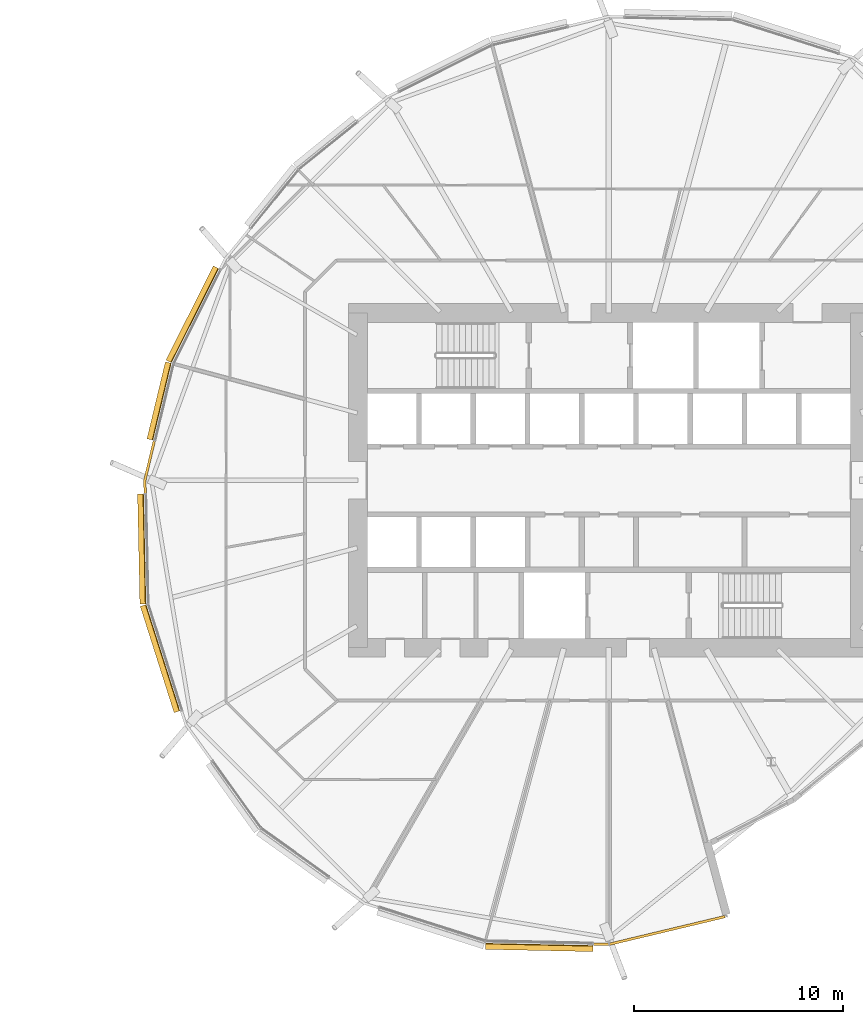
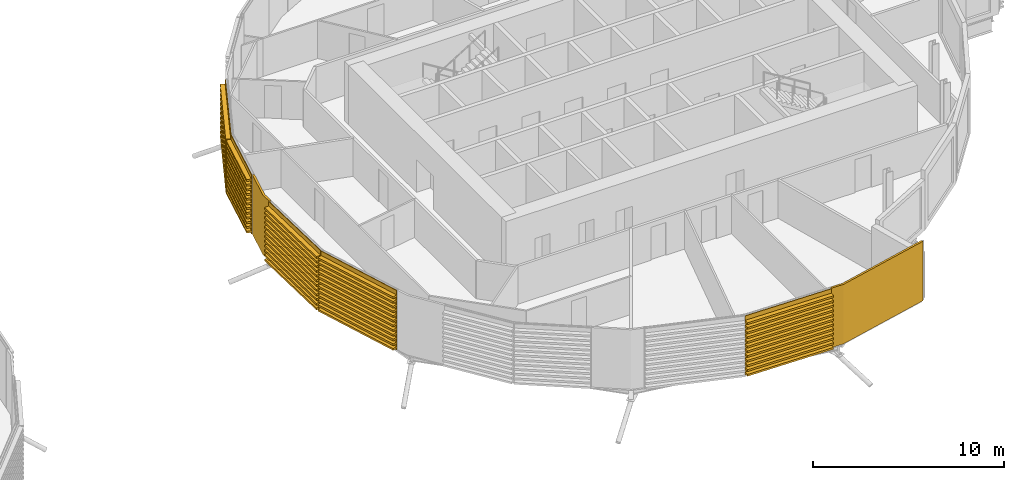
# One storey, part 36 of 38: 7 coverings.
"""IFC4 building model written with IfcOpenShell, lengths in metres."""

from ifc_helpers import new_model, si_unit, direction, frame, origin, place, context, subcontext, project, spatial, polyline, outline, extrude, material, layer, layer_set, material_profile, profile_set, type_object, element, save


model = new_model("IFC4")

# Units and contexts
model_context = context("Model", 3, precision=1e-05, world=origin(), true_north=direction((0.0, 1.0)))
body_context = subcontext(model_context, "Body", "Model", "MODEL_VIEW")
ifc_project = project(units=[si_unit("LENGTHUNIT", "METRE"), si_unit("AREAUNIT", "SQUARE_METRE"), si_unit("VOLUMEUNIT", "CUBIC_METRE"), si_unit("PLANEANGLEUNIT", "RADIAN"), si_unit("MASSUNIT", "GRAM", prefix="KILO")], contexts=[model_context])

# Site, building, storey
site_placement = place(None, origin())
site = spatial("IfcSite", under=ifc_project, at=site_placement, CompositionType="ELEMENT")
building_placement = place(site_placement, origin())
building = spatial("IfcBuilding", under=site, at=building_placement, Name="Rimbun Link Towers", CompositionType="ELEMENT")
storey_placement = place(building_placement, frame((0.0, 0.0, 68.0)))
storey = spatial("IfcBuildingStorey", under=building, at=storey_placement, Name="L16", CompositionType="ELEMENT", Elevation=68.0)

# Coverings
ifc_material_1 = material(Name="Terracotta", Category="masonry")
ifc_layer = layer(ifc_material_1, 0.1201171875)
ifc_layer_set = layer_set([ifc_layer], Name="LINK PIER terracotta cladding 120")
covering_type_1 = type_object("IfcCoveringType", Name="LINK PIER terracotta cladding 120", PredefinedType="CLADDING", material=ifc_layer_set)
covering_1_placement = place(storey_placement, origin())
element("IfcCovering", 1, at=covering_1_placement, inside=storey, type_object=covering_type_1, Name="LINK PIER cladding", PredefinedType="CLADDING", context=body_context, shape_type="SweptSolid", body=[
    extrude(outline(polyline([(9.634033203125, -0.619873046875), (9.62109375, 0.0), (10.067626953125, 1.867431640625), (9.950927734375, 1.895263671875), (9.500732421875, 0.012939453125), (9.51416015625, -0.622314453125), (9.634033203125, -0.619873046875)])), origin(), (0.0, 0.0, 1.0), 3.800048828125),
])
covering_2_placement = place(storey_placement, origin())
element("IfcCovering", 2, at=covering_2_placement, inside=storey, type_object=covering_type_1, Name="LINK PIER cladding", PredefinedType="CLADDING", context=body_context, shape_type="SweptSolid", body=[
    extrude(outline(polyline([(37.293212890625, -20.80322265625), (31.75, -22.12890625), (31.0302734375, -22.11376953125), (31.027587890625, -22.23388671875), (31.762939453125, -22.249267578125), (37.321044921875, -20.919921875), (37.293212890625, -20.80322265625)])), origin(), (0.0, 0.0, 1.0), 3.800048828125),
])
ifc_material_2 = material(Name="Terracotta", Category="masonry")
ifc_material_profile = material_profile(ifc_material_2, outline(polyline([(0.123046875, 0.0), (0.1630859375, 0.0), (0.1630859375, 0.10009765625), (0.423095703125, 0.10009765625), (0.423095703125, 0.219970703125), (0.1630859375, 0.219970703125), (0.1630859375, 0.39990234375), (0.423095703125, 0.39990234375), (0.423095703125, 0.52001953125), (0.1630859375, 0.52001953125), (0.1630859375, 0.699951171875), (0.423095703125, 0.699951171875), (0.423095703125, 0.820068359375), (0.1630859375, 0.820068359375), (0.1630859375, 1.0), (0.423095703125, 1.0), (0.423095703125, 1.1201171875), (0.1630859375, 1.1201171875), (0.1630859375, 1.300048828125), (0.423095703125, 1.300048828125), (0.423095703125, 1.419921875), (0.1630859375, 1.419921875), (0.1630859375, 1.60009765625), (0.423095703125, 1.60009765625), (0.423095703125, 1.719970703125), (0.1630859375, 1.719970703125), (0.1630859375, 1.89990234375), (0.423095703125, 1.89990234375), (0.423095703125, 2.02001953125), (0.1630859375, 2.02001953125), (0.1630859375, 2.199951171875), (0.423095703125, 2.199951171875), (0.423095703125, 2.320068359375), (0.1630859375, 2.320068359375), (0.1630859375, 2.5), (0.423095703125, 2.5), (0.423095703125, 2.6201171875), (0.1630859375, 2.6201171875), (0.1630859375, 2.800048828125), (0.423095703125, 2.800048828125), (0.423095703125, 2.919921875), (0.1630859375, 2.919921875), (0.1630859375, 3.10009765625), (0.423095703125, 3.10009765625), (0.423095703125, 3.219970703125), (0.1630859375, 3.219970703125), (0.1630859375, 3.39990234375), (0.423095703125, 3.39990234375), (0.423095703125, 3.52001953125), (0.1630859375, 3.52001953125), (0.1630859375, 3.800048828125), (0.123046875, 3.800048828125), (0.123046875, 0.0)])), Name="BAGUETTE 120X300")
ifc_profile_set = profile_set([ifc_material_profile], Name="Terracotta")
covering_type_2 = type_object("IfcCoveringType", Name="TERRACOTTA BAGUETTE 120X300 H3800", PredefinedType="CLADDING", material=ifc_profile_set)
covering_3_placement = place(storey_placement, frame((10.95361328125, 5.572509765625, 0.0), z_axis=(0.448804323468, 0.893630057259, 0.0), x_axis=(-0.893630057259, 0.448804323468, 0.0)))
element("IfcCovering", 3, at=covering_3_placement, inside=storey, type_object=covering_type_2, Name="TERRACOTTA BAGUETTE", PredefinedType="CLADDING", context=body_context, shape_type="SweptSolid", body=[
    extrude(outline(polyline([(0.123046875, 0.0), (0.1630859375, 0.0), (0.1630859375, 0.10009765625), (0.423095703125, 0.10009765625), (0.423095703125, 0.219970703125), (0.1630859375, 0.219970703125), (0.1630859375, 0.39990234375), (0.423095703125, 0.39990234375), (0.423095703125, 0.52001953125), (0.1630859375, 0.52001953125), (0.1630859375, 0.699951171875), (0.423095703125, 0.699951171875), (0.423095703125, 0.820068359375), (0.1630859375, 0.820068359375), (0.1630859375, 1.0), (0.423095703125, 1.0), (0.423095703125, 1.1201171875), (0.1630859375, 1.1201171875), (0.1630859375, 1.300048828125), (0.423095703125, 1.300048828125), (0.423095703125, 1.419921875), (0.1630859375, 1.419921875), (0.1630859375, 1.60009765625), (0.423095703125, 1.60009765625), (0.423095703125, 1.719970703125), (0.1630859375, 1.719970703125), (0.1630859375, 1.89990234375), (0.423095703125, 1.89990234375), (0.423095703125, 2.02001953125), (0.1630859375, 2.02001953125), (0.1630859375, 2.199951171875), (0.423095703125, 2.199951171875), (0.423095703125, 2.320068359375), (0.1630859375, 2.320068359375), (0.1630859375, 2.5), (0.423095703125, 2.5), (0.423095703125, 2.6201171875), (0.1630859375, 2.6201171875), (0.1630859375, 2.800048828125), (0.423095703125, 2.800048828125), (0.423095703125, 2.919921875), (0.1630859375, 2.919921875), (0.1630859375, 3.10009765625), (0.423095703125, 3.10009765625), (0.423095703125, 3.219970703125), (0.1630859375, 3.219970703125), (0.1630859375, 3.39990234375), (0.423095703125, 3.39990234375), (0.423095703125, 3.52001953125), (0.1630859375, 3.52001953125), (0.1630859375, 3.800048828125), (0.123046875, 3.800048828125), (0.123046875, 0.0)])), origin(), (0.0, 0.0, 1.0), 5.03173828125),
])
covering_4_placement = place(storey_placement, frame((10.074462890625, 1.896484375, 0.0), z_axis=(0.232598449645, 0.972572856512, 0.0), x_axis=(-0.972572856512, 0.232598449645, 0.0)))
element("IfcCovering", 4, at=covering_4_placement, inside=storey, type_object=covering_type_2, Name="TERRACOTTA BAGUETTE", PredefinedType="CLADDING", context=body_context, shape_type="SweptSolid", body=[
    extrude(outline(polyline([(0.123046875, 0.0), (0.1630859375, 0.0), (0.1630859375, 0.10009765625), (0.423095703125, 0.10009765625), (0.423095703125, 0.219970703125), (0.1630859375, 0.219970703125), (0.1630859375, 0.39990234375), (0.423095703125, 0.39990234375), (0.423095703125, 0.52001953125), (0.1630859375, 0.52001953125), (0.1630859375, 0.699951171875), (0.423095703125, 0.699951171875), (0.423095703125, 0.820068359375), (0.1630859375, 0.820068359375), (0.1630859375, 1.0), (0.423095703125, 1.0), (0.423095703125, 1.1201171875), (0.1630859375, 1.1201171875), (0.1630859375, 1.300048828125), (0.423095703125, 1.300048828125), (0.423095703125, 1.419921875), (0.1630859375, 1.419921875), (0.1630859375, 1.60009765625), (0.423095703125, 1.60009765625), (0.423095703125, 1.719970703125), (0.1630859375, 1.719970703125), (0.1630859375, 1.89990234375), (0.423095703125, 1.89990234375), (0.423095703125, 2.02001953125), (0.1630859375, 2.02001953125), (0.1630859375, 2.199951171875), (0.423095703125, 2.199951171875), (0.423095703125, 2.320068359375), (0.1630859375, 2.320068359375), (0.1630859375, 2.5), (0.423095703125, 2.5), (0.423095703125, 2.6201171875), (0.1630859375, 2.6201171875), (0.1630859375, 2.800048828125), (0.423095703125, 2.800048828125), (0.423095703125, 2.919921875), (0.1630859375, 2.919921875), (0.1630859375, 3.10009765625), (0.423095703125, 3.10009765625), (0.423095703125, 3.219970703125), (0.1630859375, 3.219970703125), (0.1630859375, 3.39990234375), (0.423095703125, 3.39990234375), (0.423095703125, 3.52001953125), (0.1630859375, 3.52001953125), (0.1630859375, 3.800048828125), (0.123046875, 3.800048828125), (0.123046875, 0.0)])), origin(), (0.0, 0.0, 1.0), 3.77978515625),
])
covering_5_placement = place(storey_placement, frame((9.7451171875, -5.896240234375, 0.0), z_axis=(-0.021029365909, 0.999778858433, 0.0), x_axis=(-0.999778858433, -0.021029365909, 0.0)))
element("IfcCovering", 5, at=covering_5_placement, inside=storey, type_object=covering_type_2, Name="TERRACOTTA BAGUETTE", PredefinedType="CLADDING", context=body_context, shape_type="SweptSolid", body=[
    extrude(outline(polyline([(0.123046875, 0.0), (0.1630859375, 0.0), (0.1630859375, 0.10009765625), (0.423095703125, 0.10009765625), (0.423095703125, 0.219970703125), (0.1630859375, 0.219970703125), (0.1630859375, 0.39990234375), (0.423095703125, 0.39990234375), (0.423095703125, 0.52001953125), (0.1630859375, 0.52001953125), (0.1630859375, 0.699951171875), (0.423095703125, 0.699951171875), (0.423095703125, 0.820068359375), (0.1630859375, 0.820068359375), (0.1630859375, 1.0), (0.423095703125, 1.0), (0.423095703125, 1.1201171875), (0.1630859375, 1.1201171875), (0.1630859375, 1.300048828125), (0.423095703125, 1.300048828125), (0.423095703125, 1.419921875), (0.1630859375, 1.419921875), (0.1630859375, 1.60009765625), (0.423095703125, 1.60009765625), (0.423095703125, 1.719970703125), (0.1630859375, 1.719970703125), (0.1630859375, 1.89990234375), (0.423095703125, 1.89990234375), (0.423095703125, 2.02001953125), (0.1630859375, 2.02001953125), (0.1630859375, 2.199951171875), (0.423095703125, 2.199951171875), (0.423095703125, 2.320068359375), (0.1630859375, 2.320068359375), (0.1630859375, 2.5), (0.423095703125, 2.5), (0.423095703125, 2.6201171875), (0.1630859375, 2.6201171875), (0.1630859375, 2.800048828125), (0.423095703125, 2.800048828125), (0.423095703125, 2.919921875), (0.1630859375, 2.919921875), (0.1630859375, 3.10009765625), (0.423095703125, 3.10009765625), (0.423095703125, 3.219970703125), (0.1630859375, 3.219970703125), (0.1630859375, 3.39990234375), (0.423095703125, 3.39990234375), (0.423095703125, 3.52001953125), (0.1630859375, 3.52001953125), (0.1630859375, 3.800048828125), (0.123046875, 3.800048828125), (0.123046875, 0.0)])), origin(), (0.0, 0.0, 1.0), 5.24755859375),
])
covering_6_placement = place(storey_placement, frame((11.3623046875, -10.981201171875, 0.0), z_axis=(-0.303075233978, 0.952966632443, 0.0), x_axis=(-0.952966632443, -0.303075233978, 0.0)))
element("IfcCovering", 6, at=covering_6_placement, inside=storey, type_object=covering_type_2, Name="TERRACOTTA BAGUETTE", PredefinedType="CLADDING", context=body_context, shape_type="SweptSolid", body=[
    extrude(outline(polyline([(0.123046875, 0.0), (0.1630859375, 0.0), (0.1630859375, 0.10009765625), (0.423095703125, 0.10009765625), (0.423095703125, 0.219970703125), (0.1630859375, 0.219970703125), (0.1630859375, 0.39990234375), (0.423095703125, 0.39990234375), (0.423095703125, 0.52001953125), (0.1630859375, 0.52001953125), (0.1630859375, 0.699951171875), (0.423095703125, 0.699951171875), (0.423095703125, 0.820068359375), (0.1630859375, 0.820068359375), (0.1630859375, 1.0), (0.423095703125, 1.0), (0.423095703125, 1.1201171875), (0.1630859375, 1.1201171875), (0.1630859375, 1.300048828125), (0.423095703125, 1.300048828125), (0.423095703125, 1.419921875), (0.1630859375, 1.419921875), (0.1630859375, 1.60009765625), (0.423095703125, 1.60009765625), (0.423095703125, 1.719970703125), (0.1630859375, 1.719970703125), (0.1630859375, 1.89990234375), (0.423095703125, 1.89990234375), (0.423095703125, 2.02001953125), (0.1630859375, 2.02001953125), (0.1630859375, 2.199951171875), (0.423095703125, 2.199951171875), (0.423095703125, 2.320068359375), (0.1630859375, 2.320068359375), (0.1630859375, 2.5), (0.423095703125, 2.5), (0.423095703125, 2.6201171875), (0.1630859375, 2.6201171875), (0.1630859375, 2.800048828125), (0.423095703125, 2.800048828125), (0.423095703125, 2.919921875), (0.1630859375, 2.919921875), (0.1630859375, 3.10009765625), (0.423095703125, 3.10009765625), (0.423095703125, 3.219970703125), (0.1630859375, 3.219970703125), (0.1630859375, 3.39990234375), (0.423095703125, 3.39990234375), (0.423095703125, 3.52001953125), (0.1630859375, 3.52001953125), (0.1630859375, 3.800048828125), (0.123046875, 3.800048828125), (0.123046875, 0.0)])), origin(), (0.0, 0.0, 1.0), 5.3359375),
])
covering_7_placement = place(storey_placement, frame((31.000244140625, -22.11328125, 0.0), z_axis=(-0.999778256826, 0.021057948104, 0.0), x_axis=(-0.021057948104, -0.999778256826, 0.0)))
element("IfcCovering", 7, at=covering_7_placement, inside=storey, type_object=covering_type_2, Name="TERRACOTTA BAGUETTE", PredefinedType="CLADDING", context=body_context, shape_type="SweptSolid", body=[
    extrude(outline(polyline([(0.123046875, 0.0), (0.1630859375, 0.0), (0.1630859375, 0.10009765625), (0.423095703125, 0.10009765625), (0.423095703125, 0.219970703125), (0.1630859375, 0.219970703125), (0.1630859375, 0.39990234375), (0.423095703125, 0.39990234375), (0.423095703125, 0.52001953125), (0.1630859375, 0.52001953125), (0.1630859375, 0.699951171875), (0.423095703125, 0.699951171875), (0.423095703125, 0.820068359375), (0.1630859375, 0.820068359375), (0.1630859375, 1.0), (0.423095703125, 1.0), (0.423095703125, 1.1201171875), (0.1630859375, 1.1201171875), (0.1630859375, 1.300048828125), (0.423095703125, 1.300048828125), (0.423095703125, 1.419921875), (0.1630859375, 1.419921875), (0.1630859375, 1.60009765625), (0.423095703125, 1.60009765625), (0.423095703125, 1.719970703125), (0.1630859375, 1.719970703125), (0.1630859375, 1.89990234375), (0.423095703125, 1.89990234375), (0.423095703125, 2.02001953125), (0.1630859375, 2.02001953125), (0.1630859375, 2.199951171875), (0.423095703125, 2.199951171875), (0.423095703125, 2.320068359375), (0.1630859375, 2.320068359375), (0.1630859375, 2.5), (0.423095703125, 2.5), (0.423095703125, 2.6201171875), (0.1630859375, 2.6201171875), (0.1630859375, 2.800048828125), (0.423095703125, 2.800048828125), (0.423095703125, 2.919921875), (0.1630859375, 2.919921875), (0.1630859375, 3.10009765625), (0.423095703125, 3.10009765625), (0.423095703125, 3.219970703125), (0.1630859375, 3.219970703125), (0.1630859375, 3.39990234375), (0.423095703125, 3.39990234375), (0.423095703125, 3.52001953125), (0.1630859375, 3.52001953125), (0.1630859375, 3.800048828125), (0.123046875, 3.800048828125), (0.123046875, 0.0)])), origin(), (0.0, 0.0, 1.0), 5.147705078125),
])

save(model, "model.ifc")
